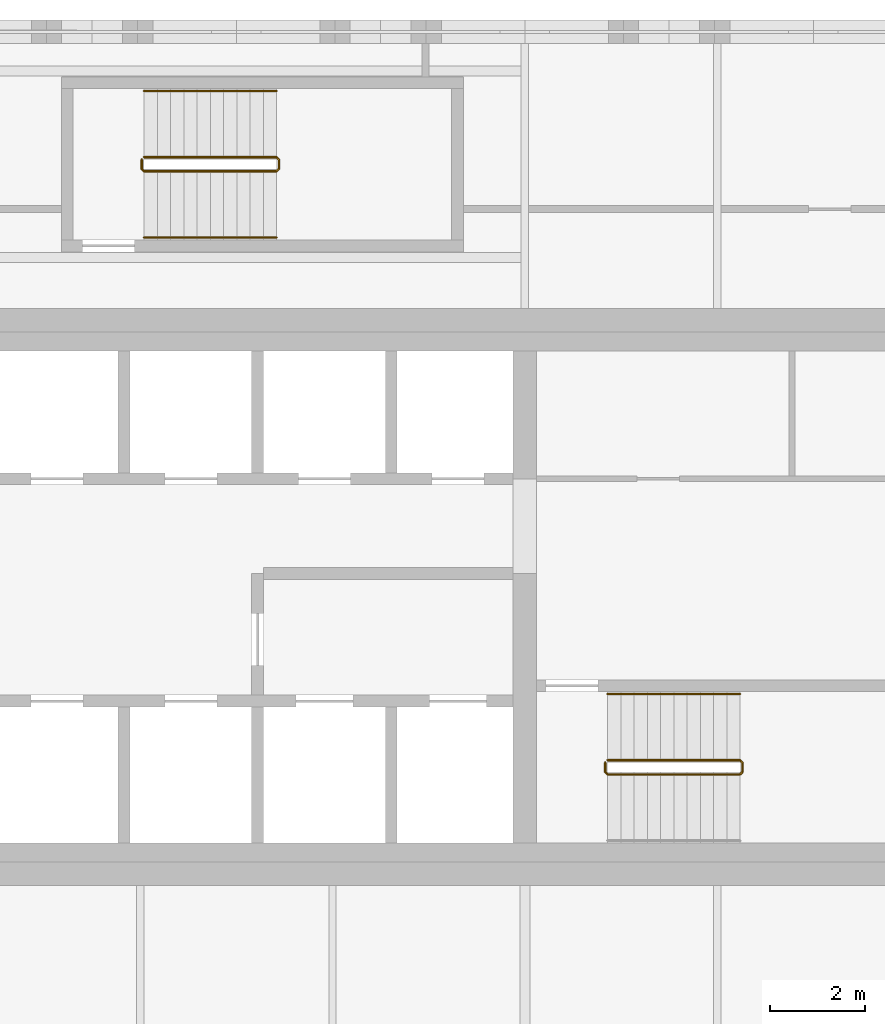
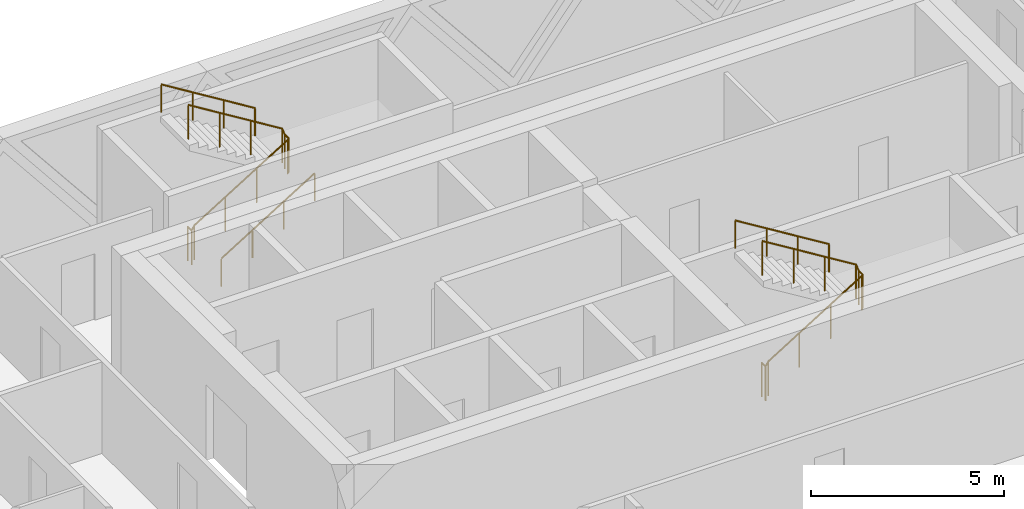
# One storey, part 21 of 21: 5 railings.
"""IFC4 building model written with IfcOpenShell, lengths in metres."""

from ifc_helpers import new_model, si_unit, direction, frame, origin, origin_2d, place, context, subcontext, project, spatial, circle, extrude, material, type_object, element, save


model = new_model("IFC4")

# Units and contexts
model_context = context("Model", 3, precision=1e-05, world=origin(), true_north=direction((0.0, 1.0)))
body_context = subcontext(model_context, "Body", "Model", "MODEL_VIEW")
ifc_project = project(units=[si_unit("LENGTHUNIT", "METRE"), si_unit("AREAUNIT", "SQUARE_METRE"), si_unit("VOLUMEUNIT", "CUBIC_METRE"), si_unit("PLANEANGLEUNIT", "RADIAN"), si_unit("MASSUNIT", "GRAM", prefix="KILO")], contexts=[model_context])

# Site, building, storey
site_placement = place(None, origin())
site = spatial("IfcSite", under=ifc_project, at=site_placement, CompositionType="ELEMENT")
building_placement = place(site_placement, origin())
building = spatial("IfcBuilding", under=site, at=building_placement, Name="Tessera Gate Towers", CompositionType="ELEMENT")
storey_placement = place(building_placement, frame((0.0, 0.0, 91.39990234375)))
storey = spatial("IfcBuildingStorey", under=building, at=storey_placement, Name="L22", CompositionType="ELEMENT", Elevation=91.39990234375)

# Railings
ifc_material_1 = material(Name="Steel 350W", Category="steel")
railing_type_1 = type_object("IfcRailingType", Name="STAIR GUARD 1100", PredefinedType="GUARDRAIL", material=ifc_material_1)
railing_1_placement = place(storey_placement, frame((111.5, 39.199951171875, 0.0)))
element("IfcRailing", 1, at=railing_1_placement, inside=storey, type_object=railing_type_1, Name="L22 ST6 stair guard 1", PredefinedType="GUARDRAIL", context=body_context, shape_type="SweptSolid", body=[
    extrude(circle(Radius=0.02392578125, at=origin_2d()), frame((0.0, 0.0, 1.076171875), z_axis=(0.0, -1.0, 0.0), x_axis=(1.0, 0.0, 0.0)), (0.0, 0.0, 1.0), 0.199951171875),
    extrude(circle(Radius=0.02392578125, at=origin_2d()), frame((0.0, -0.199951171875, 1.076171875), z_axis=(0.267953482034, -0.267953482034, 0.925419830635), x_axis=(0.707106781187, 0.707106781187, 0.0)), (0.0, 0.0, 1.0), 0.186767578125),
    extrude(circle(Radius=0.02392578125, at=origin_2d()), frame((0.050048828125, -0.25, 1.2490234375), z_axis=(0.851089632645, 0.0, 0.525020415988), x_axis=(0.0, 1.0, 0.0)), (0.0, 0.0, 1.0), 3.2900390625),
    extrude(circle(Radius=0.02392578125, at=origin_2d()), frame((2.85009765625, -0.25, 2.97607421875), z_axis=(0.705375805398, 0.708833529934, 0.0), x_axis=(-0.708833529934, 0.705375805398, 0.0)), (0.0, 0.0, 1.0), 0.070556640625),
    extrude(circle(Radius=0.02392578125, at=origin_2d()), frame((2.89990234375, -0.199951171875, 2.97607421875), z_axis=(0.0, 1.0, 0.0), x_axis=(-1.0, 0.0, 0.0)), (0.0, 0.0, 1.0), 0.199951171875),
    extrude(circle(Radius=0.02392578125, at=origin_2d()), frame((2.89990234375, 0.0, 2.97607421875), z_axis=(-0.267062837333, 0.268371968888, 0.925556009775), x_axis=(-0.708833529934, -0.705375805398, 0.0)), (0.0, 0.0, 1.0), 0.1865234375),
    extrude(circle(Radius=0.02392578125, at=origin_2d()), frame((2.85009765625, 0.050048828125, 3.14892578125), z_axis=(-0.851089632645, 0.0, 0.525020415988), x_axis=(0.0, -1.0, 0.0)), (0.0, 0.0, 1.0), 3.2900390625),
    extrude(circle(Radius=0.02099609375, at=origin_2d()), origin(), (0.0, 0.0, 1.0), 1.052001953125),
    extrude(circle(Radius=0.02099609375, at=origin_2d()), frame((0.0, -0.199951171875, 0.0)), (0.0, 0.0, 1.0), 1.052001953125),
    extrude(circle(Radius=0.02099609375, at=origin_2d()), frame((0.050048828125, -0.25, 0.1728515625)), (0.0, 0.0, 1.0), 1.052001953125),
    extrude(circle(Radius=0.02099609375, at=origin_2d()), frame((0.9833984375, -0.25, 0.74853515625)), (0.0, 0.0, 1.0), 1.052001953125),
    extrude(circle(Radius=0.02099609375, at=origin_2d()), frame((1.916748046875, -0.25, 1.324462890625)), (0.0, 0.0, 1.0), 1.052001953125),
    extrude(circle(Radius=0.02099609375, at=origin_2d()), frame((2.85009765625, -0.25, 1.900146484375)), (0.0, 0.0, 1.0), 1.052001953125),
    extrude(circle(Radius=0.02099609375, at=origin_2d()), frame((2.89990234375, -0.199951171875, 1.900146484375)), (0.0, 0.0, 1.0), 1.052001953125),
    extrude(circle(Radius=0.02099609375, at=origin_2d()), frame((2.89990234375, 0.0, 1.900146484375)), (0.0, 0.0, 1.0), 1.052001953125),
    extrude(circle(Radius=0.02099609375, at=origin_2d()), frame((2.85009765625, 0.050048828125, 2.07275390625)), (0.0, 0.0, 1.0), 1.052001953125),
    extrude(circle(Radius=0.02099609375, at=origin_2d()), frame((1.916748046875, 0.050048828125, 2.6484375)), (0.0, 0.0, 1.0), 1.052001953125),
    extrude(circle(Radius=0.02099609375, at=origin_2d()), frame((0.9833984375, 0.050048828125, 3.224365234375)), (0.0, 0.0, 1.0), 1.052001953125),
    extrude(circle(Radius=0.02099609375, at=origin_2d()), frame((0.050048828125, 0.050048828125, 3.800048828125)), (0.0, 0.0, 1.0), 1.052001953125),
])
railing_2_placement = place(storey_placement, frame((101.699951171875, 51.949951171875, 0.0)))
element("IfcRailing", 2, at=railing_2_placement, inside=storey, type_object=railing_type_1, Name="L22 ST7 stair guard 1", PredefinedType="GUARDRAIL", context=body_context, shape_type="SweptSolid", body=[
    extrude(circle(Radius=0.02392578125, at=origin_2d()), frame((0.0, 0.0, 1.076171875), z_axis=(0.0, -1.0, 0.0), x_axis=(1.0, 0.0, 0.0)), (0.0, 0.0, 1.0), 0.199951171875),
    extrude(circle(Radius=0.02392578125, at=origin_2d()), frame((0.0, -0.199951171875, 1.076171875), z_axis=(0.267953482034, -0.267953482034, 0.925419830635), x_axis=(0.707106781187, 0.707106781187, 0.0)), (0.0, 0.0, 1.0), 0.186767578125),
    extrude(circle(Radius=0.02392578125, at=origin_2d()), frame((0.050048828125, -0.25, 1.2490234375), z_axis=(0.851089632645, 0.0, 0.525020415988), x_axis=(0.0, 1.0, 0.0)), (0.0, 0.0, 1.0), 3.2900390625),
    extrude(circle(Radius=0.02392578125, at=origin_2d()), frame((2.85009765625, -0.25, 2.97607421875), z_axis=(0.707106781187, 0.707106781187, 0.0), x_axis=(-0.707106781187, 0.707106781187, 0.0)), (0.0, 0.0, 1.0), 0.07080078125),
    extrude(circle(Radius=0.02392578125, at=origin_2d()), frame((2.900146484375, -0.199951171875, 2.97607421875), z_axis=(0.0, 1.0, 0.0), x_axis=(-1.0, 0.0, 0.0)), (0.0, 0.0, 1.0), 0.199951171875),
    extrude(circle(Radius=0.02392578125, at=origin_2d()), frame((2.900146484375, 0.0, 2.97607421875), z_axis=(-0.268277960024, 0.268277960024, 0.925231793839), x_axis=(-0.707106781187, -0.707106781187, 0.0)), (0.0, 0.0, 1.0), 0.1865234375),
    extrude(circle(Radius=0.02392578125, at=origin_2d()), frame((2.85009765625, 0.050048828125, 3.14892578125), z_axis=(-0.851089632645, 0.0, 0.525020415988), x_axis=(0.0, -1.0, 0.0)), (0.0, 0.0, 1.0), 3.2900390625),
    extrude(circle(Radius=0.02099609375, at=origin_2d()), origin(), (0.0, 0.0, 1.0), 1.052001953125),
    extrude(circle(Radius=0.02099609375, at=origin_2d()), frame((0.0, -0.199951171875, 0.0)), (0.0, 0.0, 1.0), 1.052001953125),
    extrude(circle(Radius=0.02099609375, at=origin_2d()), frame((0.050048828125, -0.25, 0.1728515625)), (0.0, 0.0, 1.0), 1.052001953125),
    extrude(circle(Radius=0.02099609375, at=origin_2d()), frame((0.9833984375, -0.25, 0.74853515625)), (0.0, 0.0, 1.0), 1.052001953125),
    extrude(circle(Radius=0.02099609375, at=origin_2d()), frame((1.916748046875, -0.25, 1.324462890625)), (0.0, 0.0, 1.0), 1.052001953125),
    extrude(circle(Radius=0.02099609375, at=origin_2d()), frame((2.85009765625, -0.25, 1.900146484375)), (0.0, 0.0, 1.0), 1.052001953125),
    extrude(circle(Radius=0.02099609375, at=origin_2d()), frame((2.900146484375, -0.199951171875, 1.900146484375)), (0.0, 0.0, 1.0), 1.052001953125),
    extrude(circle(Radius=0.02099609375, at=origin_2d()), frame((2.900146484375, 0.0, 1.900146484375)), (0.0, 0.0, 1.0), 1.052001953125),
    extrude(circle(Radius=0.02099609375, at=origin_2d()), frame((2.85009765625, 0.050048828125, 2.07275390625)), (0.0, 0.0, 1.0), 1.052001953125),
    extrude(circle(Radius=0.02099609375, at=origin_2d()), frame((1.916748046875, 0.050048828125, 2.6484375)), (0.0, 0.0, 1.0), 1.052001953125),
    extrude(circle(Radius=0.02099609375, at=origin_2d()), frame((0.9833984375, 0.050048828125, 3.224365234375)), (0.0, 0.0, 1.0), 1.052001953125),
    extrude(circle(Radius=0.02099609375, at=origin_2d()), frame((0.050048828125, 0.050048828125, 3.800048828125)), (0.0, 0.0, 1.0), 1.052001953125),
])
ifc_material_2 = material(Name="Steel 350W", Category="steel")
railing_type_2 = type_object("IfcRailingType", Name="STAIR HANDRAIL 900", PredefinedType="HANDRAIL", material=ifc_material_2)
railing_3_placement = place(storey_placement, frame((114.35009765625, 40.64990234375, 2.07275390625)))
element("IfcRailing", 3, at=railing_3_placement, inside=storey, type_object=railing_type_2, Name="L22 ST6 stair handrail 2", PredefinedType="HANDRAIL", context=body_context, shape_type="SweptSolid", body=[
    extrude(circle(Radius=0.02392578125, at=origin_2d()), frame((0.0, 0.0, 0.8759765625), z_axis=(-0.851089632645, 0.0, 0.525020415988), x_axis=(0.0, -1.0, 0.0)), (0.0, 0.0, 1.0), 3.2900390625),
    extrude(circle(Radius=0.02099609375, at=origin_2d()), origin(), (0.0, 0.0, 1.0), 0.851806640625),
    extrude(circle(Radius=0.02099609375, at=origin_2d()), frame((-0.933349609375, 0.0, 0.57568359375)), (0.0, 0.0, 1.0), 0.851806640625),
    extrude(circle(Radius=0.02099609375, at=origin_2d()), frame((-1.86669921875, 0.0, 1.151611328125)), (0.0, 0.0, 1.0), 0.851806640625),
    extrude(circle(Radius=0.02099609375, at=origin_2d()), frame((-2.800048828125, 0.0, 1.727294921875)), (0.0, 0.0, 1.0), 0.851806640625),
])
railing_4_placement = place(storey_placement, frame((101.75, 50.300048828125, 0.1728515625)))
element("IfcRailing", 4, at=railing_4_placement, inside=storey, type_object=railing_type_2, Name="L22 ST7 stair handrail 1", PredefinedType="HANDRAIL", context=body_context, shape_type="SweptSolid", body=[
    extrude(circle(Radius=0.02392578125, at=origin_2d()), frame((0.0, 0.0, 0.8759765625), z_axis=(0.851089632645, 0.0, 0.525020415988), x_axis=(0.0, 1.0, 0.0)), (0.0, 0.0, 1.0), 3.2900390625),
    extrude(circle(Radius=0.02099609375, at=origin_2d()), origin(), (0.0, 0.0, 1.0), 0.851806640625),
    extrude(circle(Radius=0.02099609375, at=origin_2d()), frame((0.933349609375, 0.0, 0.57568359375)), (0.0, 0.0, 1.0), 0.851806640625),
    extrude(circle(Radius=0.02099609375, at=origin_2d()), frame((1.86669921875, 0.0, 1.151611328125)), (0.0, 0.0, 1.0), 0.851806640625),
    extrude(circle(Radius=0.02099609375, at=origin_2d()), frame((2.800048828125, 0.0, 1.727294921875)), (0.0, 0.0, 1.0), 0.851806640625),
])
railing_5_placement = place(storey_placement, frame((104.550048828125, 53.39990234375, 2.07275390625)))
element("IfcRailing", 5, at=railing_5_placement, inside=storey, type_object=railing_type_2, Name="L22 ST7 stair handrail 2", PredefinedType="HANDRAIL", context=body_context, shape_type="SweptSolid", body=[
    extrude(circle(Radius=0.02392578125, at=origin_2d()), frame((0.0, 0.0, 0.8759765625), z_axis=(-0.851089632645, 0.0, 0.525020415988), x_axis=(0.0, -1.0, 0.0)), (0.0, 0.0, 1.0), 3.2900390625),
    extrude(circle(Radius=0.02099609375, at=origin_2d()), origin(), (0.0, 0.0, 1.0), 0.851806640625),
    extrude(circle(Radius=0.02099609375, at=origin_2d()), frame((-0.933349609375, 0.0, 0.57568359375)), (0.0, 0.0, 1.0), 0.851806640625),
    extrude(circle(Radius=0.02099609375, at=origin_2d()), frame((-1.86669921875, 0.0, 1.151611328125)), (0.0, 0.0, 1.0), 0.851806640625),
    extrude(circle(Radius=0.02099609375, at=origin_2d()), frame((-2.800048828125, 0.0, 1.727294921875)), (0.0, 0.0, 1.0), 0.851806640625),
])

save(model, "model.ifc")
